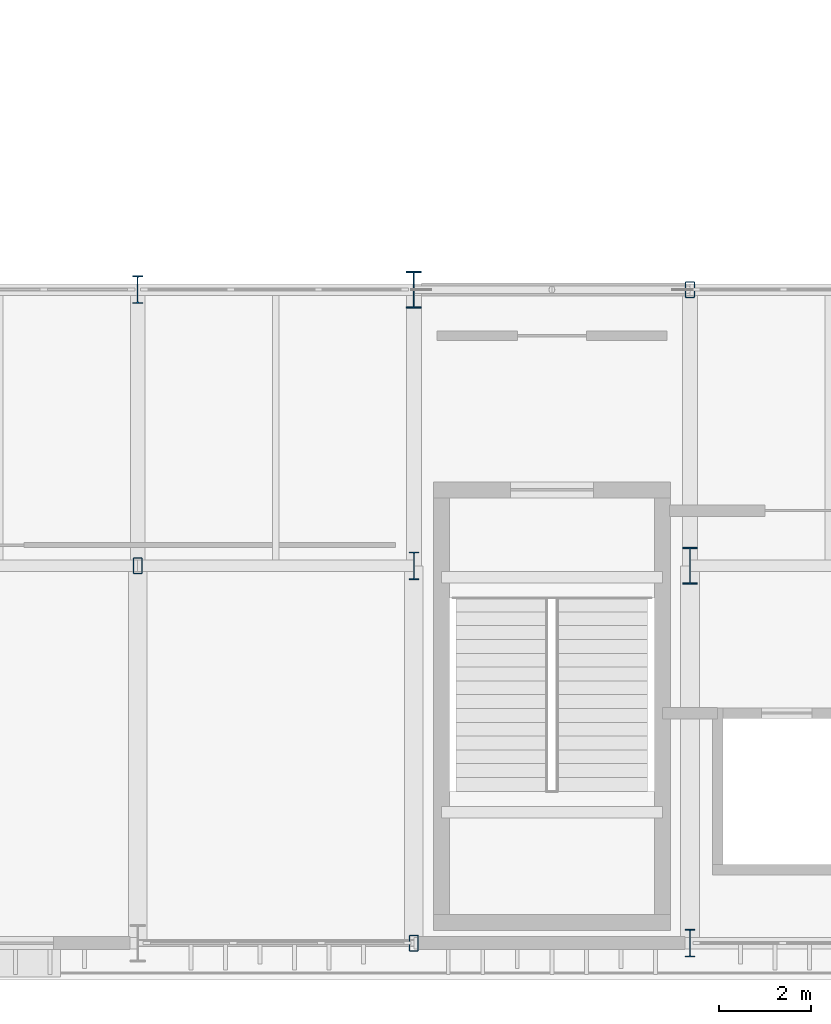
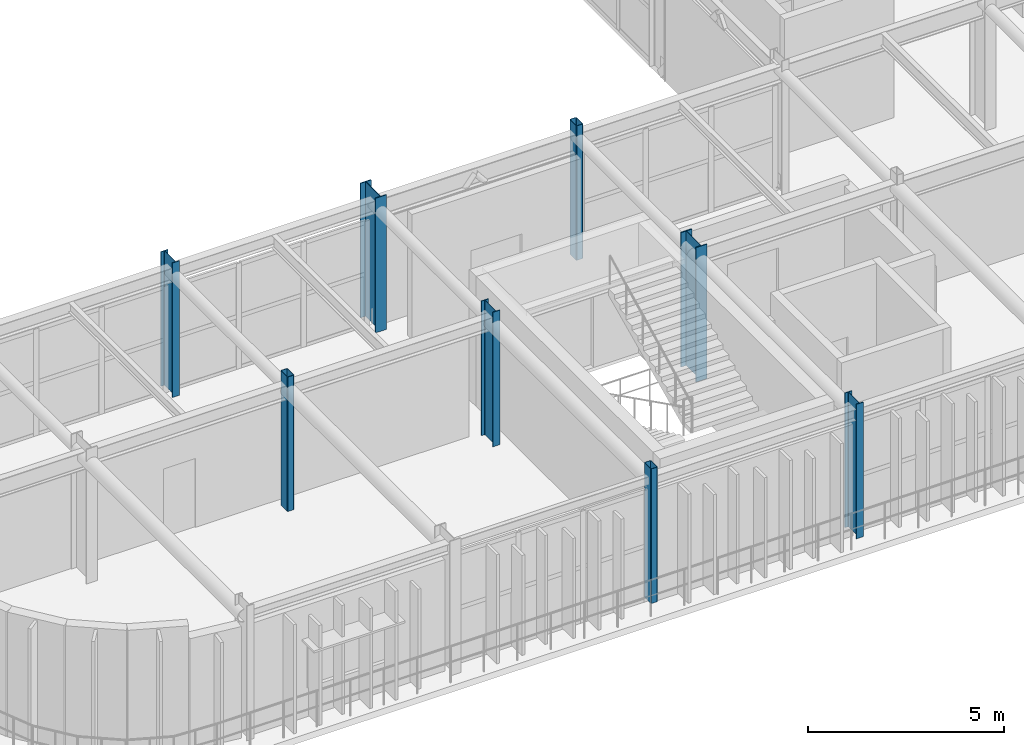
# One storey, part 8 of 116: 8 columns.
"""IFC4 building model written with IfcOpenShell, lengths in metres."""

from ifc_helpers import new_model, si_unit, direction, frame, origin, origin_2d, place, context, subcontext, project, spatial, hollow_rectangle, i_section, extrude, material, material_profile, profile_set, type_object, element, save


model = new_model("IFC4")

# Units and contexts
model_context = context("Model", 3, precision=1e-05, world=origin(), true_north=direction((0.0, 1.0)))
body_context = subcontext(model_context, "Body", "Model", "MODEL_VIEW")
ifc_project = project(units=[si_unit("LENGTHUNIT", "METRE"), si_unit("AREAUNIT", "SQUARE_METRE"), si_unit("VOLUMEUNIT", "CUBIC_METRE"), si_unit("PLANEANGLEUNIT", "RADIAN"), si_unit("MASSUNIT", "GRAM", prefix="KILO")], contexts=[model_context])

# Site, building, storey
site_placement = place(None, origin())
site = spatial("IfcSite", under=ifc_project, at=site_placement, CompositionType="ELEMENT")
building_placement = place(site_placement, origin())
building = spatial("IfcBuilding", under=site, at=building_placement, Name="Varnakota Square Police Headquarters", CompositionType="ELEMENT")
storey_placement = place(building_placement, frame((0.0, 0.0, 9.300048828125)))
storey = spatial("IfcBuildingStorey", under=building, at=storey_placement, Name="L02", CompositionType="ELEMENT", Elevation=9.300048828125)

# Columns
ifc_material = material(Name="Steel IS 2062 Grade 350", Category="steel")
ifc_material_profile_1 = material_profile(ifc_material, i_section(OverallWidth=0.320068359375, OverallDepth=0.800048828125, WebThickness=0.01611328125, FlangeThickness=0.028076171875, at=origin_2d()), Name="BPG 800x320")
ifc_profile_set_1 = profile_set([ifc_material_profile_1], Name="Steel IS 2062 Grade 350")
column_type_1 = type_object("IfcColumnType", Name="COL-BPG800", PredefinedType="COLUMN", material=ifc_profile_set_1)
for number, where, z_axis, x_axis, name in (
    (1, (126.0, 15.0, 0.0), (0.0, 0.0, 1.0), (1.0, 0.0, 0.0), "Column X1260-Y0150 L02"),
    (2, (132.0, 9.0, 0.0), (0.0, 0.0, 1.0), (1.0, 0.0, 0.0), "Column X1320-Y0090 L02"),
):
    element("IfcColumn", number, at=place(storey_placement, frame(where, z_axis=z_axis, x_axis=x_axis)), inside=storey, type_object=column_type_1, Name=name, PredefinedType="COLUMN", context=body_context, shape_type="SweptSolid", body=[
        extrude(i_section(OverallWidth=0.320068359375, OverallDepth=0.800048828125, WebThickness=0.01611328125, FlangeThickness=0.028076171875, at=origin_2d()), origin(), (0.0, 0.0, 1.0), 4.199951171875),
    ])
ifc_material_profile_2 = material_profile(ifc_material, i_section(OverallWidth=0.2099609375, OverallDepth=0.60009765625, WebThickness=0.011962890625, FlangeThickness=0.020751953125, FilletRadius=0.02001953125, at=origin_2d()), Name="ISMB 600")
ifc_profile_set_2 = profile_set([ifc_material_profile_2], Name="Steel IS 2062 Grade 350")
column_type_2 = type_object("IfcColumnType", Name="COL-ISMB600", PredefinedType="COLUMN", material=ifc_profile_set_2)
for number, where, z_axis, x_axis, name in (
    (3, (120.0, 15.0, 0.0), (0.0, 0.0, 1.0), (1.0, 0.0, 0.0), "Column X1200-Y0150 L02"),
    (4, (126.0, 9.0, 0.0), (0.0, 0.0, 1.0), (1.0, 0.0, 0.0), "Column X1260-Y0090 L02"),
    (5, (132.0, 0.800048828125, 0.0), (0.0, 0.0, 1.0), (1.0, 0.0, 0.0), "Column X1320-Y0008 L02"),
):
    element("IfcColumn", number, at=place(storey_placement, frame(where, z_axis=z_axis, x_axis=x_axis)), inside=storey, type_object=column_type_2, Name=name, PredefinedType="COLUMN", context=body_context, shape_type="SweptSolid", body=[
        extrude(i_section(OverallWidth=0.2099609375, OverallDepth=0.60009765625, WebThickness=0.011962890625, FlangeThickness=0.020751953125, FilletRadius=0.02001953125, at=origin_2d()), origin(), (0.0, 0.0, 1.0), 4.199951171875),
    ])
ifc_material_profile_3 = material_profile(ifc_material, hollow_rectangle(XDim=0.199951171875, YDim=0.35009765625, WallThickness=0.011962890625, InnerFilletRadius=0.011962890625, OuterFilletRadius=0.02392578125, at=origin_2d()), Name="RHS 350x200x12")
ifc_profile_set_3 = profile_set([ifc_material_profile_3], Name="Steel IS 2062 Grade 350")
column_type_3 = type_object("IfcColumnType", Name="COL-RHS350", PredefinedType="COLUMN", material=ifc_profile_set_3)
for number, where, z_axis, x_axis, name in (
    (6, (120.0, 9.0, 0.0), (0.0, 0.0, 1.0), (1.0, 0.0, 0.0), "Column X1200-Y0090 L02"),
    (7, (126.0, 0.800048828125, 0.0), (0.0, 0.0, 1.0), (1.0, 0.0, 0.0), "Column X1260-Y0008 L02"),
    (8, (132.0, 15.0, 0.0), (0.0, 0.0, 1.0), (1.0, 0.0, 0.0), "Column X1320-Y0150 L02"),
):
    element("IfcColumn", number, at=place(storey_placement, frame(where, z_axis=z_axis, x_axis=x_axis)), inside=storey, type_object=column_type_3, Name=name, PredefinedType="COLUMN", context=body_context, shape_type="SweptSolid", body=[
        extrude(hollow_rectangle(XDim=0.199951171875, YDim=0.35009765625, WallThickness=0.011962890625, InnerFilletRadius=0.011962890625, OuterFilletRadius=0.02392578125, at=origin_2d()), origin(), (0.0, 0.0, 1.0), 4.199951171875),
    ])

save(model, "model.ifc")
